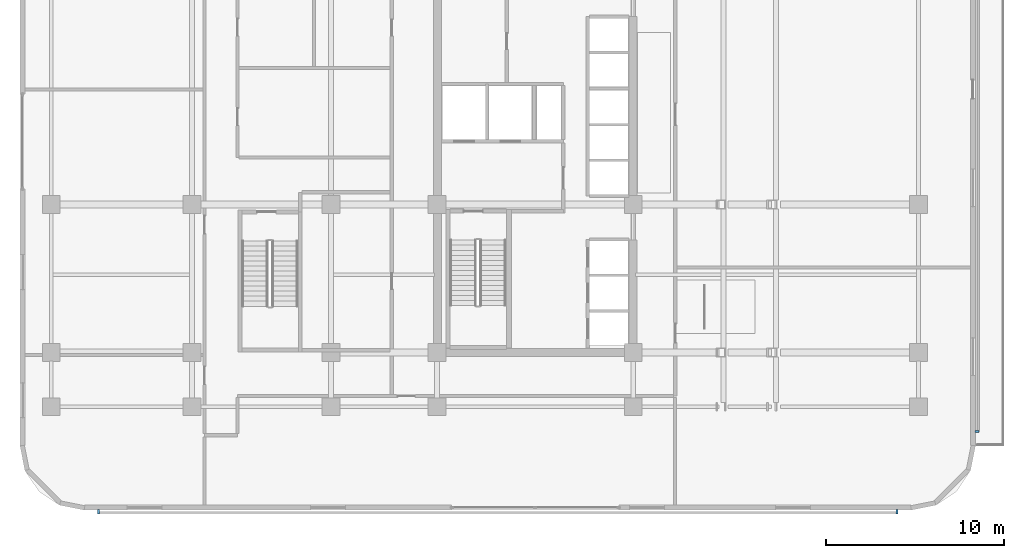
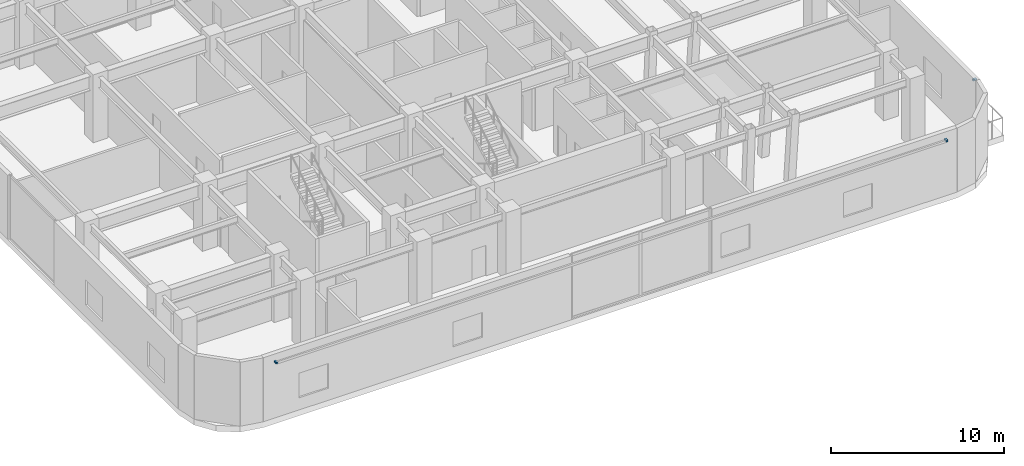
# One storey, part 12 of 18: 3 discrete accessories.
"""IFC4 building model written with IfcOpenShell, lengths in metres."""

from ifc_helpers import new_model, si_unit, direction, frame, origin, origin_2d, place, context, subcontext, project, spatial, rectangle, extrude, material, type_object, element, save


model = new_model("IFC4")

# Units and contexts
model_context = context("Model", 3, precision=1e-05, world=origin(), true_north=direction((0.0, 1.0)))
body_context = subcontext(model_context, "Body", "Model", "MODEL_VIEW")
ifc_project = project(units=[si_unit("LENGTHUNIT", "METRE"), si_unit("AREAUNIT", "SQUARE_METRE"), si_unit("VOLUMEUNIT", "CUBIC_METRE"), si_unit("PLANEANGLEUNIT", "RADIAN"), si_unit("MASSUNIT", "GRAM", prefix="KILO")], contexts=[model_context])

# Site, building, storey
site_placement = place(None, origin())
site = spatial("IfcSite", under=ifc_project, at=site_placement, CompositionType="ELEMENT")
building_placement = place(site_placement, origin())
building = spatial("IfcBuilding", under=site, at=building_placement, Name="Ochreholt Gables", CompositionType="ELEMENT")
storey_placement = place(building_placement, frame((0.0, 0.0, 4.800048828125)))
storey = spatial("IfcBuildingStorey", under=building, at=storey_placement, Name="L01", CompositionType="ELEMENT", Elevation=4.800048828125)

# Discrete accessories
ifc_material = material(Name="Extruded Aluminium Standoff Bracket", Category="aluminium")
discrete_accessory_type = type_object("IfcDiscreteAccessoryType", Name="ACC-BRACKET-AL", PredefinedType="BRACKET", material=ifc_material)
for number, where, z_axis, x_axis, name in (
    (1, (5.199951171875, 0.31005859375, 3.93994140625), (0.0, 0.0, 1.0), (1.0, 0.0, 0.0), "L01 Baguette Standoff Bracket S1-1"),
    (2, (50.0, 0.31005859375, 3.93994140625), (0.0, 0.0, 1.0), (1.0, 0.0, 0.0), "L01 Baguette Standoff Bracket S1-2"),
    (3, (54.489990234375, 4.800048828125, 3.93994140625), (0.0, 0.0, 1.0), (0.0, 1.0, 0.0), "L01 Baguette Standoff Bracket E1-1"),
):
    element("IfcDiscreteAccessory", number, at=place(storey_placement, frame(where, z_axis=z_axis, x_axis=x_axis)), inside=storey, type_object=discrete_accessory_type, Name=name, PredefinedType="BRACKET", context=body_context, shape_type="SweptSolid", body=[
        extrude(rectangle(XDim=0.1201171875, YDim=0.239990234375, at=origin_2d()), origin(), (0.0, 0.0, 1.0), 0.1201171875),
    ])

save(model, "model.ifc")
